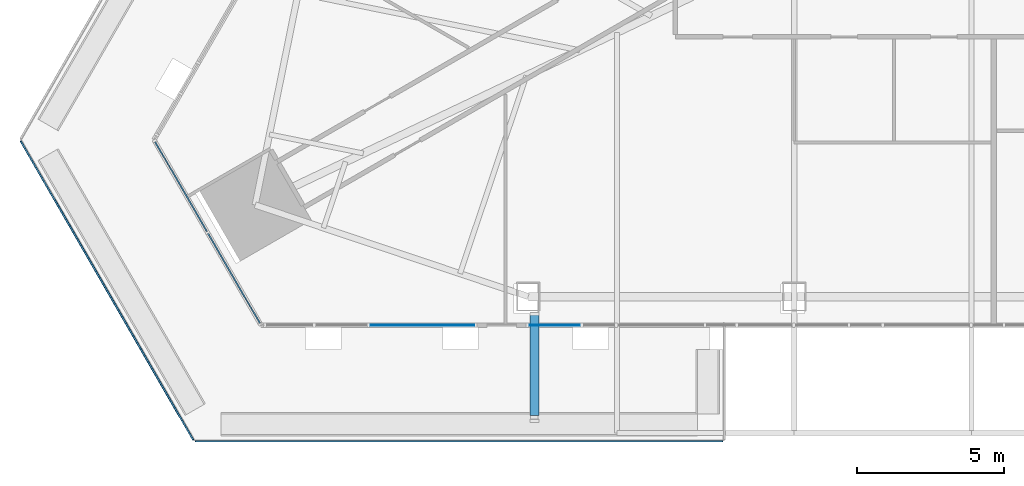
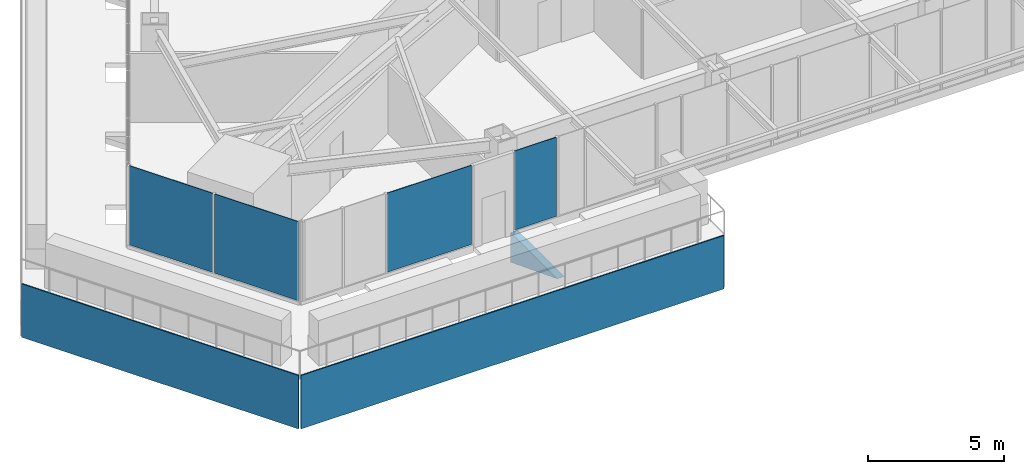
# One storey, part 15 of 35: 7 plates, 2 elements without a shape of their own.
"""IFC4 building model written with IfcOpenShell, lengths in metres."""

from ifc_helpers import new_model, si_unit, direction, frame, origin, place, context, subcontext, project, spatial, polyline, outline, extrude, material, layer, layer_set, type_object, element, aggregate, save


model = new_model("IFC4")

# Units and contexts
model_context = context("Model", 3, precision=1e-05, world=origin(), true_north=direction((0.0, 1.0)))
body_context = subcontext(model_context, "Body", "Model", "MODEL_VIEW")
ifc_project = project(units=[si_unit("LENGTHUNIT", "METRE"), si_unit("AREAUNIT", "SQUARE_METRE"), si_unit("VOLUMEUNIT", "CUBIC_METRE"), si_unit("PLANEANGLEUNIT", "RADIAN"), si_unit("MASSUNIT", "GRAM", prefix="KILO")], contexts=[model_context])

# Site, building, storey
site_placement = place(None, origin())
site = spatial("IfcSite", under=ifc_project, at=site_placement, CompositionType="ELEMENT")
building_placement = place(site_placement, origin())
building = spatial("IfcBuilding", under=site, at=building_placement, Name="Firuza Gate Tower and Library", CompositionType="ELEMENT")
storey_placement = place(building_placement, frame((0.0, 0.0, 159.699951171875)))
storey = spatial("IfcBuildingStorey", under=building, at=storey_placement, Name="L36", CompositionType="ELEMENT", Elevation=159.699951171875)

# Curtain wall, plates
ifc_material_1 = material(Name="Aluminium 6063-T6", Category="aluminium")
ifc_layer_1 = layer(ifc_material_1, 0.14990234375)
ifc_layer_set_1 = layer_set([ifc_layer_1], Name="Corner curtain wall, chamfers")
curtain_wall_type_1 = type_object("IfcCurtainWallType", Name="Corner curtain wall, chamfers", PredefinedType="NOTDEFINED", material=ifc_layer_set_1)
placement = place(storey_placement, origin())
curtain_wall_1 = element("IfcCurtainWall", 1, at=placement, inside=storey, type_object=curtain_wall_type_1, Name="CW4 L36 SW corner", PredefinedType="NOTDEFINED")
ifc_material_2 = material(Name="Fritted glass", Category="glass")
ifc_layer_2 = layer(ifc_material_2, 0.030029296875)
ifc_layer_set_2 = layer_set([ifc_layer_2], Name="Fritted glass unit, corners")
plate_type_1 = type_object("IfcPlateType", Name="Fritted glass unit, corners", PredefinedType="CURTAIN_PANEL", material=ifc_layer_set_2)
plate_1_placement = place(storey_placement, frame((44.158447265625, 61.3544921875, 0.150146484375), z_axis=(-0.866016723041, -0.500015035186, 0.0), x_axis=(0.500015035186, -0.866016723041, 0.0)))
plate_1 = element("IfcPlate", 2, at=plate_1_placement, type_object=plate_type_1, Name="Glass unit", PredefinedType="CURTAIN_PANEL", context=body_context, shape_type="SweptSolid", body=[
    extrude(outline(polyline([(0.0, 0.0), (3.5633694106530625, 0.0), (3.5633694106530625, 3.5498046875), (0.0, 3.5498046875), (0.0, 0.0)])), origin(), (0.0, 0.0, -1.0), 0.030029296875),
])
plate_2_placement = place(storey_placement, frame((45.980224609375, 58.19921875, 0.150146484375), z_axis=(-0.866046390552, -0.49996364809, 0.0), x_axis=(0.49996364809, -0.866046390552, 0.0)))
plate_2 = element("IfcPlate", 3, at=plate_2_placement, type_object=plate_type_1, Name="Glass unit", PredefinedType="CURTAIN_PANEL", context=body_context, shape_type="SweptSolid", body=[
    extrude(outline(polyline([(0.0, 0.0), (3.563247342942594, 0.0), (3.563247342942594, 3.5498046875), (0.0, 3.5498046875), (0.0, 0.0)])), origin(), (0.0, 0.0, -1.0), 0.030029296875),
])
aggregate(curtain_wall_1, [plate_1, plate_2])

ifc_material_3 = material(Name="Aluminium 6063-T6", Category="aluminium")
ifc_layer_3 = layer(ifc_material_3, 0.14990234375)
ifc_layer_set_3 = layer_set([ifc_layer_3], Name="Unitised curtain wall, hotel")
curtain_wall_type_2 = type_object("IfcCurtainWallType", Name="Unitised curtain wall, hotel", PredefinedType="NOTDEFINED", material=ifc_layer_set_3)
curtain_wall_2 = element("IfcCurtainWall", 4, at=placement, inside=storey, type_object=curtain_wall_type_2, Name="CW2 L36 S face", PredefinedType="NOTDEFINED")
ifc_material_4 = material(Name="Fritted glass", Category="glass")
ifc_layer_4 = layer(ifc_material_4, 0.030029296875)
ifc_layer_set_4 = layer_set([ifc_layer_4], Name="Fritted glass unit, hotel")
plate_type_2 = type_object("IfcPlateType", Name="Fritted glass unit, hotel", PredefinedType="CURTAIN_PANEL", material=ifc_layer_set_4)
plate_3_placement = place(storey_placement, frame((56.903076171875, 55.071044921875, 0.150146484375), z_axis=(0.0, -1.0, 0.0), x_axis=(1.0, 0.0, 0.0)))
plate_3 = element("IfcPlate", 5, at=plate_3_placement, type_object=plate_type_2, Name="Glass unit", PredefinedType="CURTAIN_PANEL", context=body_context, shape_type="SweptSolid", body=[
    extrude(outline(polyline([(0.0, 0.0), (1.769287109375, 0.0), (1.769287109375, 3.5498046875), (0.0, 3.5498046875), (0.0, 0.0)])), origin(), (0.0, 0.0, -1.0), 0.030029296875),
])
ifc_material_5 = material(Name="Glazed ceramic tile")
ifc_layer_5 = layer(ifc_material_5, 0.030029296875)
ifc_layer_set_5 = layer_set([ifc_layer_5], Name="Opaque ceramic panel, hotel")
plate_type_3 = type_object("IfcPlateType", Name="Opaque ceramic panel, hotel", PredefinedType="CURTAIN_PANEL", material=ifc_layer_set_5)
plate_4_placement = place(storey_placement, frame((51.494873046875, 55.071044921875, 0.150146484375), z_axis=(0.0, -1.0, 0.0), x_axis=(1.0, 0.0, 0.0)))
plate_4 = element("IfcPlate", 6, at=plate_4_placement, type_object=plate_type_3, Name="Opaque ceramic panel", PredefinedType="CURTAIN_PANEL", context=body_context, shape_type="SweptSolid", body=[
    extrude(outline(polyline([(0.0, 0.0), (3.579833984375, 0.0), (3.579833984375, 3.5498046875), (0.0, 3.5498046875), (0.0, 0.0)])), origin(), (0.0, 0.0, -1.0), 0.030029296875),
])
aggregate(curtain_wall_2, [plate_4, plate_3])

# Plates
ifc_material_6 = material(Name="Steel S355", Category="steel")
ifc_layer_6 = layer(ifc_material_6, 0.300048828125)
ifc_layer_set_6 = layer_set([ifc_layer_6], Name="Tray bracket web 300 Steel S355")
plate_type_4 = type_object("IfcPlateType", Name="Tray bracket web 300 Steel S355", PredefinedType="SHEET", material=ifc_layer_set_6)
plate_5_placement = place(storey_placement, frame((57.25, 55.446044921875, -0.199951171875), z_axis=(1.0, 0.0, 0.0), x_axis=(0.0, -1.0, 0.0)))
element("IfcPlate", 7, at=plate_5_placement, inside=storey, type_object=plate_type_4, Name="Tray bracket web L36 col:L35:S1", PredefinedType="SHEET", context=body_context, shape_type="SweptSolid", body=[
    extrude(outline(polyline([(0.0, 0.0), (3.428955078125, 0.0), (0.0, 1.333984375), (0.0, 0.0)])), origin(), (0.0, 0.0, -1.0), 0.300048828125),
])
ifc_material_7 = material(Name="Aluminium 6063-T6", Category="aluminium")
ifc_layer_7 = layer(ifc_material_7, 0.050048828125)
ifc_layer_set_7 = layer_set([ifc_layer_7], Name="Tray fascia panel 50")
plate_type_5 = type_object("IfcPlateType", Name="Tray fascia panel 50", PredefinedType="SHEET", material=ifc_layer_set_7)
plate_6_placement = place(storey_placement, frame((39.591064453125, 61.345947265625, -2.39990234375), z_axis=(-0.866052479261, -0.499953100966, 0.0), x_axis=(0.499953100966, -0.866052479261, 0.0)))
element("IfcPlate", 8, at=plate_6_placement, inside=storey, type_object=plate_type_5, Name="Tray fascia L36 3", PredefinedType="SHEET", context=body_context, shape_type="SweptSolid", body=[
    extrude(outline(polyline([(0.0, 0.0), (11.758915463545884, 0.0), (11.758915463545884, 2.39990234375), (0.0, 2.39990234375), (0.0, 0.0)])), origin(), (0.0, 0.0, -1.0), 0.050048828125),
])
plate_7_placement = place(storey_placement, frame((45.55908203125, 51.111083984375, -2.39990234375), z_axis=(0.0, -1.0, 0.0), x_axis=(1.0, 0.0, 0.0)))
element("IfcPlate", 9, at=plate_7_placement, inside=storey, type_object=plate_type_5, Name="Tray fascia L36 4", PredefinedType="SHEET", context=body_context, shape_type="SweptSolid", body=[
    extrude(outline(polyline([(0.0, 0.0), (17.95703125, 0.0), (17.95703125, 2.39990234375), (0.0, 2.39990234375), (0.0, 0.0)])), origin(), (0.0, 0.0, -1.0), 0.050048828125),
])

save(model, "model.ifc")
